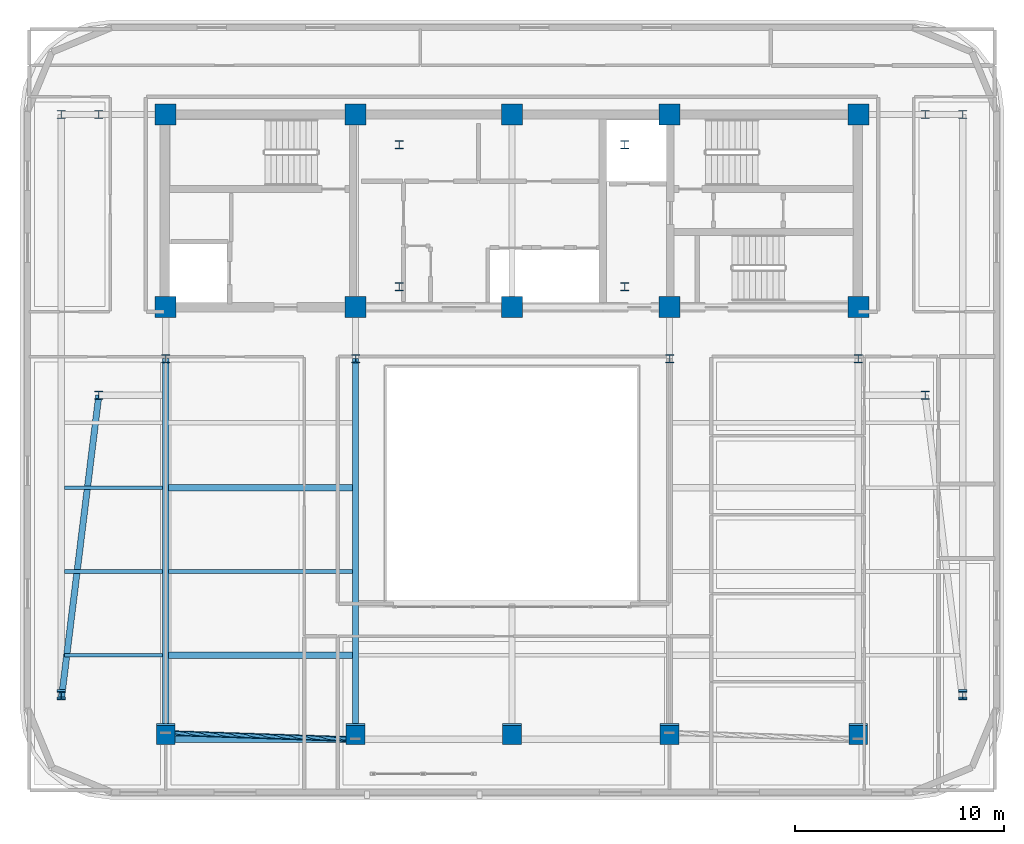
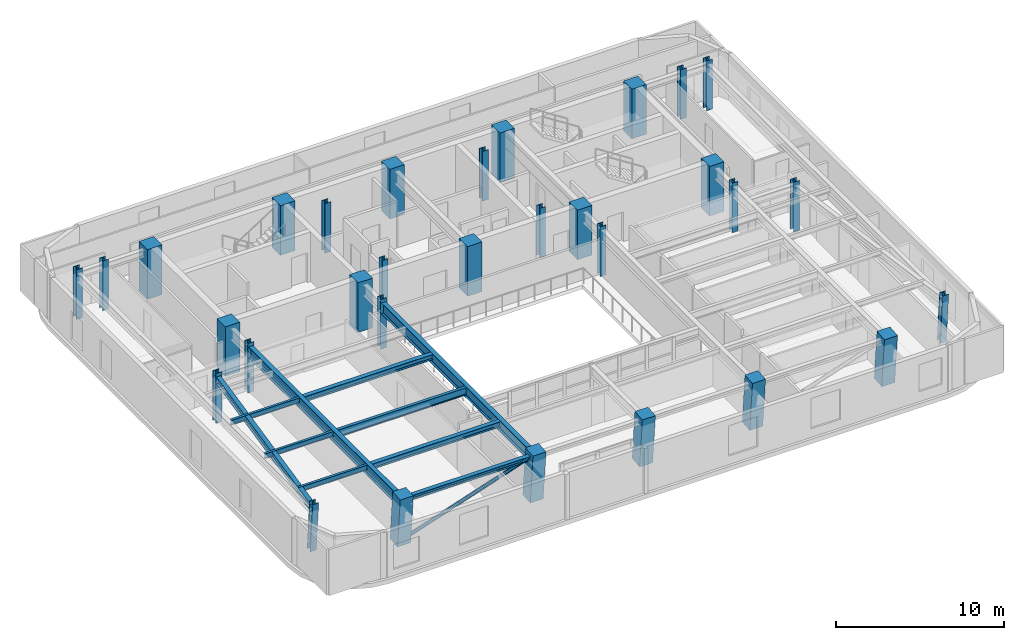
# One storey, part 1 of 13: 31 columns, 10 beams, 1 member.
"""IFC4 building model written with IfcOpenShell, lengths in metres."""

from ifc_helpers import new_model, si_unit, direction, frame, origin, origin_2d, place, context, subcontext, project, spatial, rectangle, hollow_circle, i_section, extrude, material, material_profile, profile_set, type_object, element, save


model = new_model("IFC4")

# Units and contexts
model_context = context("Model", 3, precision=1e-05, world=origin(), true_north=direction((0.0, 1.0)))
body_context = subcontext(model_context, "Body", "Model", "MODEL_VIEW")
ifc_project = project(units=[si_unit("LENGTHUNIT", "METRE"), si_unit("AREAUNIT", "SQUARE_METRE"), si_unit("VOLUMEUNIT", "CUBIC_METRE"), si_unit("PLANEANGLEUNIT", "RADIAN"), si_unit("MASSUNIT", "GRAM", prefix="KILO")], contexts=[model_context])

# Site, building, storey
site_placement = place(None, origin())
site = spatial("IfcSite", under=ifc_project, at=site_placement, CompositionType="ELEMENT")
building_placement = place(site_placement, origin())
building = spatial("IfcBuilding", under=site, at=building_placement, Name="Zarnavel Station Tower", CompositionType="ELEMENT")
storey_placement = place(building_placement, frame((0.0, 0.0, 207.60009765625)))
storey = spatial("IfcBuildingStorey", under=building, at=storey_placement, Name="L56", CompositionType="ELEMENT", Elevation=207.60009765625)

# Columns
ifc_material_1 = material(Name="Steel S355J2", Category="steel")
ifc_material_profile_1 = material_profile(ifc_material_1, i_section(OverallWidth=0.407958984375, OverallDepth=0.39990234375, WebThickness=0.02490234375, FlangeThickness=0.0390625, FilletRadius=0.014892578125, at=origin_2d()), Name="HD400x287")
ifc_profile_set_1 = profile_set([ifc_material_profile_1], Name="Steel S355J2")
column_type_1 = type_object("IfcColumnType", Name="EC_HD287", PredefinedType="COLUMN", material=ifc_profile_set_1)
column_1_placement = place(storey_placement, frame((7.199951171875, 9.285400390625, 0.0), z_axis=(0.0, -0.079906436036, 0.996802368316), x_axis=(1.0, 0.0, 0.0)))
element("IfcColumn", 1, at=column_1_placement, inside=storey, type_object=column_type_1, Name="L56 Raked Wing Column 1", PredefinedType="COLUMN", context=body_context, shape_type="SweptSolid", body=[
    extrude(i_section(OverallWidth=0.407958984375, OverallDepth=0.39990234375, WebThickness=0.02490234375, FlangeThickness=0.0390625, FilletRadius=0.014892578125, at=origin_2d()), origin(), (0.0, 0.0, 1.0), 3.611328125),
])
column_2_placement = place(storey_placement, frame((7.199951171875, 37.050048828125, 0.0), z_axis=(0.0, 0.0, 1.0), x_axis=(1.0, 0.0, 0.0)))
element("IfcColumn", 2, at=column_2_placement, inside=storey, type_object=column_type_1, Name="L56 Outer Wing North Column 1", PredefinedType="COLUMN", context=body_context, shape_type="SweptSolid", body=[
    extrude(i_section(OverallWidth=0.407958984375, OverallDepth=0.39990234375, WebThickness=0.02490234375, FlangeThickness=0.0390625, FilletRadius=0.014892578125, at=origin_2d()), origin(), (0.0, 0.0, 1.0), 3.599853515625),
])
column_3_placement = place(storey_placement, frame((50.39990234375, 9.285400390625, 0.0), z_axis=(0.0, -0.079906436036, 0.996802368316), x_axis=(1.0, 0.0, 0.0)))
element("IfcColumn", 3, at=column_3_placement, inside=storey, type_object=column_type_1, Name="L56 Raked Wing Column 2", PredefinedType="COLUMN", context=body_context, shape_type="SweptSolid", body=[
    extrude(i_section(OverallWidth=0.407958984375, OverallDepth=0.39990234375, WebThickness=0.02490234375, FlangeThickness=0.0390625, FilletRadius=0.014892578125, at=origin_2d()), origin(), (0.0, 0.0, 1.0), 3.611328125),
])
column_4_placement = place(storey_placement, frame((50.39990234375, 37.050048828125, 0.0), z_axis=(0.0, 0.0, 1.0), x_axis=(1.0, 0.0, 0.0)))
element("IfcColumn", 4, at=column_4_placement, inside=storey, type_object=column_type_1, Name="L56 Outer Wing North Column 2", PredefinedType="COLUMN", context=body_context, shape_type="SweptSolid", body=[
    extrude(i_section(OverallWidth=0.407958984375, OverallDepth=0.39990234375, WebThickness=0.02490234375, FlangeThickness=0.0390625, FilletRadius=0.014892578125, at=origin_2d()), origin(), (0.0, 0.0, 1.0), 3.599853515625),
])
ifc_material_2 = material(Name="Steel S355J2", Category="steel")
ifc_material_profile_2 = material_profile(ifc_material_2, i_section(OverallWidth=0.407958984375, OverallDepth=0.39990234375, WebThickness=0.02490234375, FlangeThickness=0.0390625, FilletRadius=0.014892578125, at=origin_2d()), Name="HD400x287")
ifc_profile_set_2 = profile_set([ifc_material_profile_2], Name="Steel S355J2")
column_type_2 = type_object("IfcColumnType", Name="IC_HD287", PredefinedType="COLUMN", material=ifc_profile_set_2)
for number, where, z_axis, x_axis, name in (
    (5, (23.39990234375, 28.800048828125, 0.0), (0.0, 0.0, 1.0), (1.0, 0.0, 0.0), "L56 Mast Spine Column 1"),
    (6, (34.199951171875, 28.800048828125, 0.0), (0.0, 0.0, 1.0), (1.0, 0.0, 0.0), "L56 Mast Spine Column 2"),
    (7, (34.199951171875, 35.60009765625, 0.0), (0.0, 0.0, 1.0), (1.0, 0.0, 0.0), "L56 Mast Spine Column 3"),
    (8, (23.39990234375, 35.60009765625, 0.0), (0.0, 0.0, 1.0), (1.0, 0.0, 0.0), "L56 Mast Spine Column 4"),
    (9, (12.199951171875, 25.35009765625, 0.0), (0.0, 0.0, 1.0), (1.0, 0.0, 0.0), "L56 Inner Spine Column 1"),
    (10, (21.300048828125, 25.35009765625, 0.0), (0.0, 0.0, 1.0), (1.0, 0.0, 0.0), "L56 Inner Spine Column 2"),
    (11, (36.35009765625, 25.35009765625, 0.0), (0.0, 0.0, 1.0), (1.0, 0.0, 0.0), "L56 Inner Spine Column 4"),
    (12, (45.39990234375, 25.35009765625, 0.0), (0.0, 0.0, 1.0), (1.0, 0.0, 0.0), "L56 Inner Spine Column 5"),
    (13, (9.0, 23.60009765625, 0.0), (0.0, 0.0, 1.0), (1.0, 0.0, 0.0), "L56 Inner Wing Spine Column 1-1"),
    (14, (9.0, 37.050048828125, 0.0), (0.0, 0.0, 1.0), (1.0, 0.0, 0.0), "L56 Inner Wing Spine Column 1-2"),
    (15, (48.60009765625, 23.60009765625, 0.0), (0.0, 0.0, 1.0), (1.0, 0.0, 0.0), "L56 Inner Wing Spine Column 2-1"),
    (16, (48.60009765625, 37.050048828125, 0.0), (0.0, 0.0, 1.0), (1.0, 0.0, 0.0), "L56 Inner Wing Spine Column 2-2"),
):
    element("IfcColumn", number, at=place(storey_placement, frame(where, z_axis=z_axis, x_axis=x_axis)), inside=storey, type_object=column_type_2, Name=name, PredefinedType="COLUMN", context=body_context, shape_type="SweptSolid", body=[
        extrude(i_section(OverallWidth=0.407958984375, OverallDepth=0.39990234375, WebThickness=0.02490234375, FlangeThickness=0.0390625, FilletRadius=0.014892578125, at=origin_2d()), origin(), (0.0, 0.0, 1.0), 3.599853515625),
    ])
ifc_material_3 = material(Name="Concrete C50/60", Category="concrete")
ifc_material_profile_3 = material_profile(ifc_material_3, rectangle(XDim=1.0, YDim=1.0, at=origin_2d()), Name="RC1000x1000")
ifc_profile_set_3 = profile_set([ifc_material_profile_3], Name="Concrete C50/60")
column_type_3 = type_object("IfcColumnType", Name="IC_RC1000", PredefinedType="COLUMN", material=ifc_profile_set_3)
for number, where, z_axis, x_axis, name in (
    (17, (12.199951171875, 27.820068359375, 0.0), (0.0, 0.0, 1.0), (1.0, 0.0, 0.0), "L56 Core Spine Column 1-1"),
    (18, (12.199951171875, 37.050048828125, 0.0), (0.0, 0.0, 1.0), (1.0, 0.0, 0.0), "L56 Core Spine Column 1-2"),
    (19, (21.300048828125, 27.820068359375, 0.0), (0.0, 0.0, 1.0), (1.0, 0.0, 0.0), "L56 Core Spine Column 2-1"),
    (20, (21.300048828125, 37.050048828125, 0.0), (0.0, 0.0, 1.0), (1.0, 0.0, 0.0), "L56 Core Spine Column 2-2"),
    (21, (28.800048828125, 27.820068359375, 0.0), (0.0, 0.0, 1.0), (1.0, 0.0, 0.0), "L56 Core Spine Column 3-1"),
    (22, (28.800048828125, 37.050048828125, 0.0), (0.0, 0.0, 1.0), (1.0, 0.0, 0.0), "L56 Core Spine Column 3-2"),
    (23, (36.35009765625, 27.820068359375, 0.0), (0.0, 0.0, 1.0), (1.0, 0.0, 0.0), "L56 Core Spine Column 4-1"),
    (24, (36.35009765625, 37.050048828125, 0.0), (0.0, 0.0, 1.0), (1.0, 0.0, 0.0), "L56 Core Spine Column 4-2"),
    (25, (45.39990234375, 27.820068359375, 0.0), (0.0, 0.0, 1.0), (1.0, 0.0, 0.0), "L56 Core Spine Column 5-1"),
    (26, (45.39990234375, 37.050048828125, 0.0), (0.0, 0.0, 1.0), (1.0, 0.0, 0.0), "L56 Core Spine Column 5-2"),
):
    element("IfcColumn", number, at=place(storey_placement, frame(where, z_axis=z_axis, x_axis=x_axis)), inside=storey, type_object=column_type_3, Name=name, PredefinedType="COLUMN", context=body_context, shape_type="SweptSolid", body=[
        extrude(rectangle(XDim=1.0, YDim=1.0, at=origin_2d()), origin(), (0.0, 0.0, 1.0), 3.599853515625),
    ])
ifc_material_4 = material(Name="Concrete C50/60", Category="concrete")
ifc_material_profile_4 = material_profile(ifc_material_4, rectangle(XDim=0.89990234375, YDim=0.89990234375, at=origin_2d()), Name="RC900x900")
ifc_profile_set_4 = profile_set([ifc_material_profile_4], Name="Concrete C50/60")
column_type_4 = type_object("IfcColumnType", Name="MC_RC900", PredefinedType="COLUMN", material=ifc_profile_set_4)
for number, where, z_axis, x_axis, name in (
    (27, (12.199951171875, 7.415283203125, 0.0), (0.0, -0.090237335163, 0.995920289653), (1.0, 0.0, 0.0), "L56 Raked South Mega-Column 1"),
    (28, (21.300048828125, 7.415283203125, 0.0), (0.0, -0.090237335163, 0.995920289653), (1.0, 0.0, 0.0), "L56 Raked South Mega-Column 2"),
    (29, (28.800048828125, 7.415283203125, 0.0), (0.0, -0.090237335163, 0.995920289653), (1.0, 0.0, 0.0), "L56 Raked South Mega-Column 3"),
    (30, (36.35009765625, 7.415283203125, 0.0), (0.0, -0.090237335163, 0.995920289653), (1.0, 0.0, 0.0), "L56 Raked South Mega-Column 4"),
    (31, (45.39990234375, 7.415283203125, 0.0), (0.0, -0.090237335163, 0.995920289653), (1.0, 0.0, 0.0), "L56 Raked South Mega-Column 5"),
):
    element("IfcColumn", number, at=place(storey_placement, frame(where, z_axis=z_axis, x_axis=x_axis)), inside=storey, type_object=column_type_4, Name=name, PredefinedType="COLUMN", context=body_context, shape_type="SweptSolid", body=[
        extrude(rectangle(XDim=0.89990234375, YDim=0.89990234375, at=origin_2d()), origin(), (0.0, 0.0, 1.0), 3.614501953125),
    ])

# Member
ifc_material_5 = material(Name="Steel S355J2", Category="steel")
ifc_material_profile_5 = material_profile(ifc_material_5, hollow_circle(Radius=0.122314453125, WallThickness=0.010009765625, at=origin_2d()), Name="CHS244.5x10")
ifc_profile_set_5 = profile_set([ifc_material_profile_5], Name="Steel S355J2")
member_type = type_object("IfcMemberType", Name="DB_EXT_CHS245", PredefinedType="BRACE", material=ifc_profile_set_5)
member_placement = place(storey_placement, frame((12.199951171875, 7.415283203125, 0.0), z_axis=(0.938314062499, -0.03121504098, 0.344372387589), x_axis=(0.033248763554, 0.999447107016, 0.0)))
element("IfcMember", 32, at=member_placement, inside=storey, type_object=member_type, Name="L56 Persian Exterior Diagonal Frame Brace 1", PredefinedType="BRACE", context=body_context, shape_type="SweptSolid", body=[
    extrude(hollow_circle(Radius=0.122314453125, WallThickness=0.010009765625, at=origin_2d()), origin(), (0.0, 0.0, 1.0), 9.6982421875),
])

# Beams
ifc_material_6 = material(Name="Steel S355J2", Category="steel")
ifc_material_profile_6 = material_profile(ifc_material_6, i_section(OverallWidth=0.300048828125, OverallDepth=0.320068359375, WebThickness=0.011474609375, FlangeThickness=0.0205078125, FilletRadius=0.027099609375, at=origin_2d()), Name="HEB320")
ifc_profile_set_6 = profile_set([ifc_material_profile_6], Name="Steel S355J2")
beam_type_1 = type_object("IfcBeamType", Name="EB_HEB320", PredefinedType="SPANDREL", material=ifc_profile_set_6)
beam_1_placement = place(storey_placement, frame((12.199951171875, 7.112548828125, 3.179931640625), z_axis=(1.0, 0.0, 0.0), x_axis=(0.0, 1.0, 0.0)))
element("IfcBeam", 33, at=beam_1_placement, inside=storey, type_object=beam_type_1, Name="L56 South Raked Spandrel 1", PredefinedType="SPANDREL", context=body_context, shape_type="SweptSolid", body=[
    extrude(i_section(OverallWidth=0.300048828125, OverallDepth=0.320068359375, WebThickness=0.011474609375, FlangeThickness=0.0205078125, FilletRadius=0.027099609375, at=origin_2d()), origin(), (0.0, 0.0, 1.0), 9.10009765625),
])
ifc_material_7 = material(Name="Steel S355J2", Category="steel")
ifc_material_profile_7 = material_profile(ifc_material_7, i_section(OverallWidth=0.300048828125, OverallDepth=0.389892578125, WebThickness=0.010986328125, FlangeThickness=0.01904296875, FilletRadius=0.027099609375, at=origin_2d()), Name="HEA400")
ifc_profile_set_7 = profile_set([ifc_material_profile_7], Name="Steel S355J2")
beam_type_2 = type_object("IfcBeamType", Name="FB_HEA400", PredefinedType="BEAM", material=ifc_profile_set_7)
for number, where, z_axis, x_axis, name in (
    (34, (12.344970703125, 11.130126953125, 3.14501953125), (1.0, 0.0, 0.0), (0.0, 1.0, 0.0), "L56 West Bay Beam 1"),
    (35, (12.344970703125, 19.1650390625, 3.14501953125), (1.0, 0.0, 0.0), (0.0, 1.0, 0.0), "L56 West Bay Beam 3"),
):
    element("IfcBeam", number, at=place(storey_placement, frame(where, z_axis=z_axis, x_axis=x_axis)), inside=storey, type_object=beam_type_2, Name=name, PredefinedType="BEAM", context=body_context, shape_type="SweptSolid", body=[
        extrude(i_section(OverallWidth=0.300048828125, OverallDepth=0.389892578125, WebThickness=0.010986328125, FlangeThickness=0.01904296875, FilletRadius=0.027099609375, at=origin_2d()), origin(), (0.0, 0.0, 1.0), 8.81005859375),
    ])
ifc_material_8 = material(Name="Steel S355J2", Category="steel")
ifc_material_profile_8 = material_profile(ifc_material_8, i_section(OverallWidth=0.2099609375, OverallDepth=0.550048828125, WebThickness=0.010986328125, FlangeThickness=0.01708984375, FilletRadius=0.02392578125, at=origin_2d()), Name="IPE550")
ifc_profile_set_8 = profile_set([ifc_material_profile_8], Name="Steel S355J2")
beam_type_3 = type_object("IfcBeamType", Name="FB_IPE550", PredefinedType="BEAM", material=ifc_profile_set_8)
beam_2_placement = place(storey_placement, frame((12.344970703125, 15.147705078125, 3.06494140625), z_axis=(1.0, 0.0, 0.0), x_axis=(0.0, 1.0, 0.0)))
element("IfcBeam", 36, at=beam_2_placement, inside=storey, type_object=beam_type_3, Name="L56 West Bay Beam 2", PredefinedType="BEAM", context=body_context, shape_type="SweptSolid", body=[
    extrude(i_section(OverallWidth=0.2099609375, OverallDepth=0.550048828125, WebThickness=0.010986328125, FlangeThickness=0.01708984375, FilletRadius=0.02392578125, at=origin_2d()), origin(), (0.0, 0.0, 1.0), 8.81005859375),
])
ifc_material_9 = material(Name="Steel S355J2", Category="steel")
ifc_material_profile_9 = material_profile(ifc_material_9, i_section(OverallWidth=0.300048828125, OverallDepth=0.5, WebThickness=0.014404296875, FlangeThickness=0.028076171875, FilletRadius=0.027099609375, at=origin_2d()), Name="HEB500")
ifc_profile_set_9 = profile_set([ifc_material_profile_9], Name="Steel S355J2")
beam_type_4 = type_object("IfcBeamType", Name="FG_HEB500", PredefinedType="USERDEFINED", material=ifc_profile_set_9)
beam_3_placement = place(storey_placement, frame((7.199951171875, 9.017578125, 3.08984375), z_axis=(0.12250899321, 0.992467403285, 0.0), x_axis=(-0.992467403285, 0.12250899321, 0.0)))
element("IfcBeam", 37, at=beam_3_placement, inside=storey, type_object=beam_type_4, Name="L56 West Wing South Tie 1", ObjectType="GIRDER", PredefinedType="USERDEFINED", context=body_context, shape_type="SweptSolid", body=[
    extrude(i_section(OverallWidth=0.300048828125, OverallDepth=0.5, WebThickness=0.014404296875, FlangeThickness=0.028076171875, FilletRadius=0.027099609375, at=origin_2d()), origin(), (0.0, 0.0, 1.0), 14.693115234375),
])
ifc_material_10 = material(Name="Steel S355J2", Category="steel")
ifc_material_profile_10 = material_profile(ifc_material_10, i_section(OverallWidth=0.300048828125, OverallDepth=0.800048828125, WebThickness=0.017578125, FlangeThickness=0.032958984375, FilletRadius=0.030029296875, at=origin_2d()), Name="HEB800")
ifc_profile_set_10 = profile_set([ifc_material_profile_10], Name="Steel S355J2")
beam_type_5 = type_object("IfcBeamType", Name="FG_HEB800", PredefinedType="USERDEFINED", material=ifc_profile_set_10)
for number, where, z_axis, x_axis, name in (
    (38, (12.199951171875, 7.112548828125, 2.93994140625), (0.0, 1.0, 0.0), (-1.0, 0.0, 0.0), "L56 South-Zone NS Girder 1"),
    (39, (21.300048828125, 7.112548828125, 2.93994140625), (0.0, 1.0, 0.0), (-1.0, 0.0, 0.0), "L56 South-Zone NS Girder 2"),
):
    element("IfcBeam", number, at=place(storey_placement, frame(where, z_axis=z_axis, x_axis=x_axis)), inside=storey, type_object=beam_type_5, Name=name, ObjectType="GIRDER", PredefinedType="USERDEFINED", context=body_context, shape_type="SweptSolid", body=[
        extrude(i_section(OverallWidth=0.300048828125, OverallDepth=0.800048828125, WebThickness=0.017578125, FlangeThickness=0.032958984375, FilletRadius=0.030029296875, at=origin_2d()), origin(), (0.0, 0.0, 1.0), 18.237548828125),
    ])
ifc_material_11 = material(Name="Steel S355J2", Category="steel")
ifc_material_profile_11 = material_profile(ifc_material_11, i_section(OverallWidth=0.169921875, OverallDepth=0.360107421875, WebThickness=0.008056640625, FlangeThickness=0.0126953125, FilletRadius=0.01806640625, at=origin_2d()), Name="IPE360")
ifc_profile_set_11 = profile_set([ifc_material_profile_11], Name="Steel S355J2")
beam_type_6 = type_object("IfcBeamType", Name="FJ_IPE360", PredefinedType="JOIST", material=ifc_profile_set_11)
for number, where, z_axis, x_axis, name in (
    (40, (7.344970703125, 11.130126953125, 3.159912109375), (1.0, 0.0, 0.0), (0.0, 1.0, 0.0), "L56 West Wing Joist 1"),
    (41, (7.344970703125, 15.147705078125, 3.159912109375), (1.0, 0.0, 0.0), (0.0, 1.0, 0.0), "L56 West Wing Joist 2"),
    (42, (7.344970703125, 19.1650390625, 3.159912109375), (1.0, 0.0, 0.0), (0.0, 1.0, 0.0), "L56 West Wing Joist 3"),
):
    element("IfcBeam", number, at=place(storey_placement, frame(where, z_axis=z_axis, x_axis=x_axis)), inside=storey, type_object=beam_type_6, Name=name, PredefinedType="JOIST", context=body_context, shape_type="SweptSolid", body=[
        extrude(i_section(OverallWidth=0.169921875, OverallDepth=0.360107421875, WebThickness=0.008056640625, FlangeThickness=0.0126953125, FilletRadius=0.01806640625, at=origin_2d()), origin(), (0.0, 0.0, 1.0), 4.7099609375),
    ])

save(model, "model.ifc")
